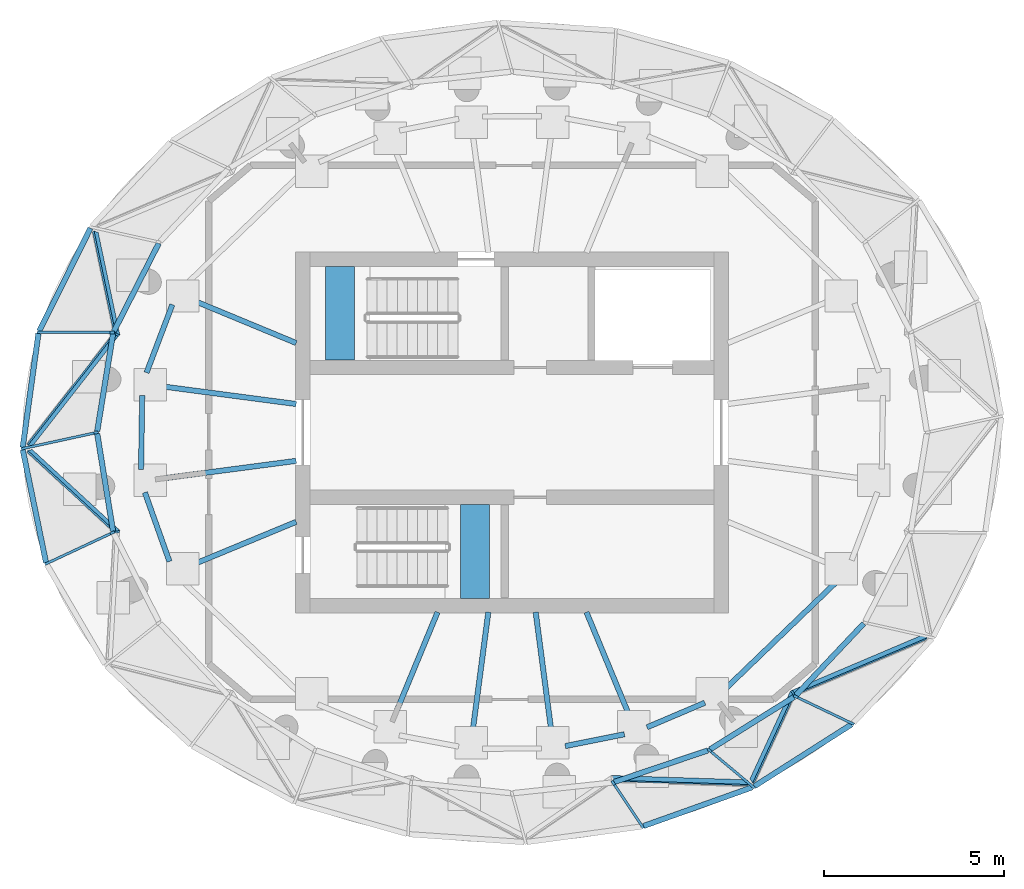
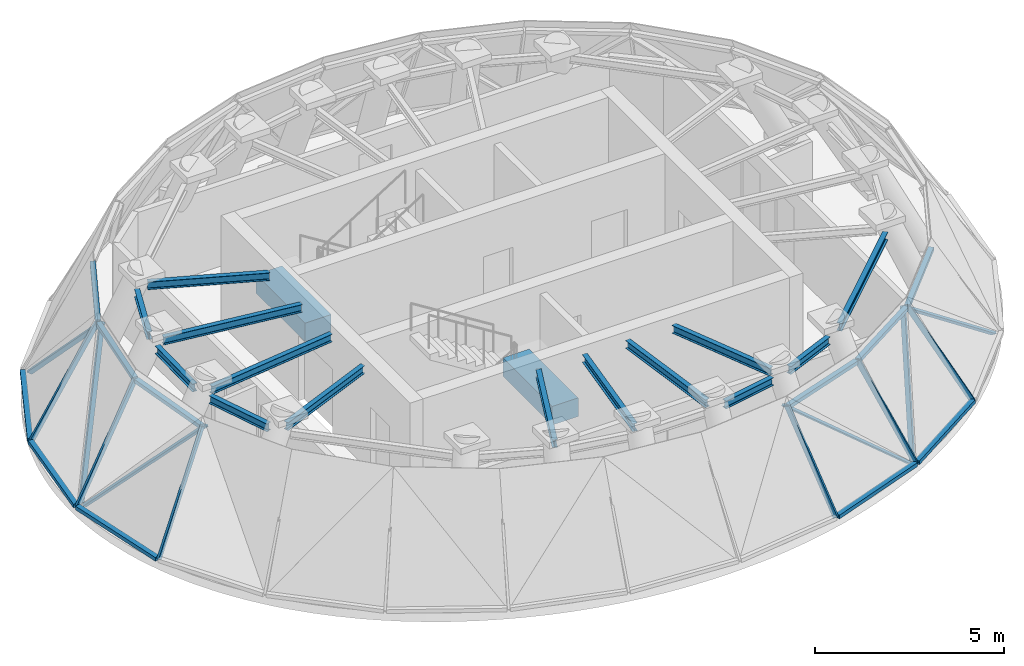
# One storey, part 2 of 8: 23 members, 16 beams, 13 elements without a shape of their own.
"""IFC4 building model written with IfcOpenShell, lengths in metres."""

from ifc_helpers import new_model, si_unit, direction, frame, origin, origin_2d, place, context, subcontext, project, spatial, rectangle, i_section, extrude, source, transform, mapped, material, layer, layer_set, material_profile, profile_set, type_object, element, aggregate, save


model = new_model("IFC4")

# Units and contexts
model_context = context("Model", 3, precision=1e-05, world=origin(), true_north=direction((0.0, 1.0)))
body_context = subcontext(model_context, "Body", "Model", "MODEL_VIEW")
ifc_project = project(units=[si_unit("LENGTHUNIT", "METRE"), si_unit("AREAUNIT", "SQUARE_METRE"), si_unit("VOLUMEUNIT", "CUBIC_METRE"), si_unit("PLANEANGLEUNIT", "RADIAN"), si_unit("MASSUNIT", "GRAM", prefix="KILO")], contexts=[model_context])

# Site, building, storey
site_placement = place(None, origin())
site = spatial("IfcSite", under=ifc_project, at=site_placement, CompositionType="ELEMENT")
building_placement = place(site_placement, origin())
building = spatial("IfcBuilding", under=site, at=building_placement, Name="Spindrift Exchange Tower", CompositionType="ELEMENT")
storey_placement = place(building_placement, frame((0.0, 0.0, 283.60009765625)))
storey = spatial("IfcBuildingStorey", under=building, at=storey_placement, Name="L70", CompositionType="ELEMENT", Elevation=283.60009765625)

# Beams
ifc_material_1 = material(Name="Steel Grade 300", Category="steel")
ifc_material_profile_1 = material_profile(ifc_material_1, i_section(OverallWidth=0.14599609375, OverallDepth=0.251953125, WebThickness=0.006103515625, FlangeThickness=0.008544921875, FilletRadius=0.011962890625, at=origin_2d()), Name="250UB31.4")
ifc_profile_set_1 = profile_set([ifc_material_profile_1], Name="Steel Grade 300")
beam_type_1 = type_object("IfcBeamType", Name="Floor Beam 250UB31.4 Steel Grade 300", PredefinedType="BEAM", material=ifc_profile_set_1)
shared_shape_1 = source(origin(), body_context, "Body", "SweptSolid", [
    extrude(i_section(OverallWidth=0.14599609375, OverallDepth=0.251953125, WebThickness=0.006103515625, FlangeThickness=0.008544921875, FilletRadius=0.011962890625, at=origin_2d()), origin(), (0.0, 0.0, 1.0), 4.010986328125),
])
beam_1_placement = place(storey_placement, frame((46.019775390625, 47.212646484375, 3.093994140625), z_axis=(-0.991447664465, -0.130504898859, 0.0), x_axis=(0.130504898859, -0.991447664465, 0.0)))
element("IfcBeam", 1, at=beam_1_placement, inside=storey, type_object=beam_type_1, Name="L70 radial beam R13A", PredefinedType="BEAM", context=body_context, shape_type="MappedRepresentation", body=[
    mapped(shared_shape_1, transform((0.0, 0.0, 0.0), scale=1.0)),
])
shared_shape_2 = source(origin(), body_context, "Body", "SweptSolid", [
    extrude(i_section(OverallWidth=0.14599609375, OverallDepth=0.251953125, WebThickness=0.006103515625, FlangeThickness=0.008544921875, FilletRadius=0.011962890625, at=origin_2d()), origin(), (0.0, 0.0, 1.0), 3.3505859375),
])
beam_2_placement = place(storey_placement, frame((46.0185546875, 45.5224609375, 3.093994140625), z_axis=(-0.923874734416, -0.382695015786, 0.0), x_axis=(0.382695015786, -0.923874734416, 0.0)))
element("IfcBeam", 2, at=beam_2_placement, inside=storey, type_object=beam_type_1, Name="L70 radial beam R14A", PredefinedType="BEAM", context=body_context, shape_type="MappedRepresentation", body=[
    mapped(shared_shape_2, transform((0.0, 0.0, 0.0), scale=1.0)),
])
shared_shape_3 = source(origin(), body_context, "Body", "SweptSolid", [
    extrude(i_section(OverallWidth=0.14599609375, OverallDepth=0.251953125, WebThickness=0.006103515625, FlangeThickness=0.008544921875, FilletRadius=0.011962890625, at=origin_2d()), origin(), (0.0, 0.0, 1.0), 3.297119140625),
])
beam_3_placement = place(storey_placement, frame((49.9365234375, 43.0185546875, 3.093994140625), z_axis=(-0.38267441848, -0.923883266133, 0.0), x_axis=(0.923883266133, -0.38267441848, 0.0)))
element("IfcBeam", 3, at=beam_3_placement, inside=storey, type_object=beam_type_1, Name="L70 radial beam R17A", PredefinedType="BEAM", context=body_context, shape_type="MappedRepresentation", body=[
    mapped(shared_shape_3, transform((0.0, 0.0, 0.0), scale=1.0)),
])
shared_shape_4 = source(origin(), body_context, "Body", "SweptSolid", [
    extrude(i_section(OverallWidth=0.14599609375, OverallDepth=0.251953125, WebThickness=0.006103515625, FlangeThickness=0.008544921875, FilletRadius=0.011962890625, at=origin_2d()), origin(), (0.0, 0.0, 1.0), 3.48828125),
])
beam_4_placement = place(storey_placement, frame((51.34423828125, 43.019775390625, 3.093994140625), z_axis=(-0.130526929648, -0.991444764289, 0.0), x_axis=(0.991444764289, -0.130526929648, 0.0)))
element("IfcBeam", 4, at=beam_4_placement, inside=storey, type_object=beam_type_1, Name="L70 radial beam R18A", PredefinedType="BEAM", context=body_context, shape_type="MappedRepresentation", body=[
    mapped(shared_shape_4, transform((0.0, 0.0, 0.0), scale=1.0)),
])
shared_shape_5 = source(origin(), body_context, "Body", "SweptSolid", [
    extrude(i_section(OverallWidth=0.14599609375, OverallDepth=0.251953125, WebThickness=0.006103515625, FlangeThickness=0.008544921875, FilletRadius=0.011962890625, at=origin_2d()), origin(), (0.0, 0.0, 1.0), 3.47802734375),
])
beam_5_placement = place(storey_placement, frame((52.65576171875, 43.019775390625, 3.093994140625), z_axis=(0.130494460661, -0.991449038396, 0.0), x_axis=(0.991449038396, 0.130494460661, 0.0)))
element("IfcBeam", 5, at=beam_5_placement, inside=storey, type_object=beam_type_1, Name="L70 radial beam R19A", PredefinedType="BEAM", context=body_context, shape_type="MappedRepresentation", body=[
    mapped(shared_shape_5, transform((0.0, 0.0, 0.0), scale=1.0)),
])
shared_shape_6 = source(origin(), body_context, "Body", "SweptSolid", [
    extrude(i_section(OverallWidth=0.14599609375, OverallDepth=0.251953125, WebThickness=0.006103515625, FlangeThickness=0.008544921875, FilletRadius=0.011962890625, at=origin_2d()), origin(), (0.0, 0.0, 1.0), 3.2626953125),
])
beam_6_placement = place(storey_placement, frame((54.0634765625, 43.0185546875, 3.093994140625), z_axis=(0.382664600296, -0.923887332785, 0.0), x_axis=(0.923887332785, 0.382664600296, 0.0)))
element("IfcBeam", 6, at=beam_6_placement, inside=storey, type_object=beam_type_1, Name="L70 radial beam R20A", PredefinedType="BEAM", context=body_context, shape_type="MappedRepresentation", body=[
    mapped(shared_shape_6, transform((0.0, 0.0, 0.0), scale=1.0)),
])
shared_shape_7 = source(origin(), body_context, "Body", "SweptSolid", [
    extrude(i_section(OverallWidth=0.14599609375, OverallDepth=0.251953125, WebThickness=0.006103515625, FlangeThickness=0.008544921875, FilletRadius=0.011962890625, at=origin_2d()), origin(), (0.0, 0.0, 1.0), 3.2568359375),
])
beam_7_placement = place(storey_placement, frame((46.0185546875, 50.4775390625, 3.093994140625), z_axis=(-0.923884360021, 0.382671777518, 0.0), x_axis=(-0.382671777518, -0.923884360021, 0.0)))
element("IfcBeam", 7, at=beam_7_placement, inside=storey, type_object=beam_type_1, Name="L70 radial beam R11A", PredefinedType="BEAM", context=body_context, shape_type="MappedRepresentation", body=[
    mapped(shared_shape_7, transform((0.0, 0.0, 0.0), scale=1.0)),
])
shared_shape_8 = source(origin(), body_context, "Body", "SweptSolid", [
    extrude(i_section(OverallWidth=0.14599609375, OverallDepth=0.251953125, WebThickness=0.006103515625, FlangeThickness=0.008544921875, FilletRadius=0.011962890625, at=origin_2d()), origin(), (0.0, 0.0, 1.0), 3.97021484375),
])
beam_8_placement = place(storey_placement, frame((46.019775390625, 48.787353515625, 3.093994140625), z_axis=(-0.99144989964, 0.130487917077, 0.0), x_axis=(-0.130487917077, -0.99144989964, 0.0)))
element("IfcBeam", 8, at=beam_8_placement, inside=storey, type_object=beam_type_1, Name="L70 radial beam R12A", PredefinedType="BEAM", context=body_context, shape_type="MappedRepresentation", body=[
    mapped(shared_shape_8, transform((0.0, 0.0, 0.0), scale=1.0)),
])
ifc_material_profile_2 = material_profile(ifc_material_1, i_section(OverallWidth=0.14599609375, OverallDepth=0.251953125, WebThickness=0.006103515625, FlangeThickness=0.008544921875, FilletRadius=0.011962890625, at=origin_2d()), Name="250UB31.4")
ifc_profile_set_2 = profile_set([ifc_material_profile_2], Name="Steel Grade 300")
beam_type_2 = type_object("IfcBeamType", Name="Edge Beam 250UB31.4 Steel Grade 300", PredefinedType="SPANDREL", material=ifc_profile_set_2)
shared_shape_9 = source(origin(), body_context, "Body", "SweptSolid", [
    extrude(i_section(OverallWidth=0.14599609375, OverallDepth=0.251953125, WebThickness=0.006103515625, FlangeThickness=0.008544921875, FilletRadius=0.011962890625, at=origin_2d()), origin(), (0.0, 0.0, 1.0), 2.028076171875),
])
beam_9_placement = place(storey_placement, frame((41.82666015625, 46.335205078125, 3.093994140625), z_axis=(0.335733894108, -0.941956873932, 0.0), x_axis=(0.941956873932, 0.335733894108, 0.0)))
element("IfcBeam", 9, at=beam_9_placement, inside=storey, type_object=beam_type_2, Name="L70 edge beam E13", PredefinedType="SPANDREL", context=body_context, shape_type="MappedRepresentation", body=[
    mapped(shared_shape_9, transform((0.0, 0.0, 0.0), scale=1.0)),
])
shared_shape_10 = source(origin(), body_context, "Body", "SweptSolid", [
    extrude(i_section(OverallWidth=0.14599609375, OverallDepth=0.251953125, WebThickness=0.006103515625, FlangeThickness=0.008544921875, FilletRadius=0.011962890625, at=origin_2d()), origin(), (0.0, 0.0, 1.0), 1.67041015625),
])
beam_10_placement = place(storey_placement, frame((53.476318359375, 39.30859375, 3.093994140625), z_axis=(0.98072096057, 0.195413401532, 0.0), x_axis=(-0.195413401532, 0.98072096057, 0.0)))
element("IfcBeam", 10, at=beam_10_placement, inside=storey, type_object=beam_type_2, Name="L70 edge beam E19", PredefinedType="SPANDREL", context=body_context, shape_type="MappedRepresentation", body=[
    mapped(shared_shape_10, transform((0.0, 0.0, 0.0), scale=1.0)),
])
shared_shape_11 = source(origin(), body_context, "Body", "SweptSolid", [
    extrude(i_section(OverallWidth=0.14599609375, OverallDepth=0.251953125, WebThickness=0.006103515625, FlangeThickness=0.008544921875, FilletRadius=0.011962890625, at=origin_2d()), origin(), (0.0, 0.0, 1.0), 1.7412109375),
])
beam_11_placement = place(storey_placement, frame((55.741943359375, 39.82861328125, 3.093994140625), z_axis=(0.920193324375, 0.391464233073, 0.0), x_axis=(-0.391464233073, 0.920193324375, 0.0)))
element("IfcBeam", 11, at=beam_11_placement, inside=storey, type_object=beam_type_2, Name="L70 edge beam E20", PredefinedType="SPANDREL", context=body_context, shape_type="MappedRepresentation", body=[
    mapped(shared_shape_11, transform((0.0, 0.0, 0.0), scale=1.0)),
])
shared_shape_12 = source(origin(), body_context, "Body", "SweptSolid", [
    extrude(i_section(OverallWidth=0.14599609375, OverallDepth=0.251953125, WebThickness=0.006103515625, FlangeThickness=0.008544921875, FilletRadius=0.011962890625, at=origin_2d()), origin(), (0.0, 0.0, 1.0), 4.402099609375),
])
beam_12_placement = place(storey_placement, frame((57.8857421875, 40.868408203125, 3.093994140625), z_axis=(0.720536729088, 0.69341677369, 0.0), x_axis=(-0.69341677369, 0.720536729088, 0.0)))
element("IfcBeam", 12, at=beam_12_placement, inside=storey, type_object=beam_type_2, Name="L70 edge beam E21", PredefinedType="SPANDREL", context=body_context, shape_type="MappedRepresentation", body=[
    mapped(shared_shape_12, transform((0.0, 0.0, 0.0), scale=1.0)),
])
shared_shape_13 = source(origin(), body_context, "Body", "SweptSolid", [
    extrude(i_section(OverallWidth=0.14599609375, OverallDepth=0.251953125, WebThickness=0.006103515625, FlangeThickness=0.008544921875, FilletRadius=0.011962890625, at=origin_2d()), origin(), (0.0, 0.0, 1.0), 2.015380859375),
])
beam_13_placement = place(storey_placement, frame((42.587890625, 51.541748046875, 3.093994140625), z_axis=(-0.354559289408, -0.935033534315, 0.0), x_axis=(0.935033534315, -0.354559289408, 0.0)))
element("IfcBeam", 13, at=beam_13_placement, inside=storey, type_object=beam_type_2, Name="L70 edge beam E11", PredefinedType="SPANDREL", context=body_context, shape_type="MappedRepresentation", body=[
    mapped(shared_shape_13, transform((0.0, 0.0, 0.0), scale=1.0)),
])
shared_shape_14 = source(origin(), body_context, "Body", "SweptSolid", [
    extrude(i_section(OverallWidth=0.14599609375, OverallDepth=0.251953125, WebThickness=0.006103515625, FlangeThickness=0.008544921875, FilletRadius=0.011962890625, at=origin_2d()), origin(), (0.0, 0.0, 1.0), 2.042724609375),
])
beam_14_placement = place(storey_placement, frame((41.75146484375, 49.0185546875, 3.093994140625), z_axis=(-0.014939762066, -0.999888395527, 0.0), x_axis=(0.999888395527, -0.014939762066, 0.0)))
element("IfcBeam", 14, at=beam_14_placement, inside=storey, type_object=beam_type_2, Name="L70 edge beam E12", PredefinedType="SPANDREL", context=body_context, shape_type="MappedRepresentation", body=[
    mapped(shared_shape_14, transform((0.0, 0.0, 0.0), scale=1.0)),
])

# Curtain wall, member
ifc_material_2 = material(Name="Fritted laminated glass with bronze frame", Category="glass")
ifc_layer = layer(ifc_material_2, 0.14990234375)
ifc_layer_set = layer_set([ifc_layer], Name="CROWN BRONZE RAKED GLAZED WALL")
curtain_wall_type = type_object("IfcCurtainWallType", Name="CROWN BRONZE RAKED GLAZED WALL", PredefinedType="NOTDEFINED", material=ifc_layer_set)
curtain_wall_1_placement = place(storey_placement, origin())
curtain_wall_1 = element("IfcCurtainWall", 15, at=curtain_wall_1_placement, inside=storey, type_object=curtain_wall_type, Name="L70 Crown Bronze Raked Glazed Wall facet 25", PredefinedType="NOTDEFINED")
ifc_material_3 = material(Name="Bronze anodised aluminium", Category="aluminium")
ifc_material_profile_3 = material_profile(ifc_material_3, rectangle(XDim=0.14990234375, YDim=0.1201171875, at=origin_2d()), Name="CROWN BRONZE RAKED GLAZED WALL TRANSOM 150X120")
ifc_profile_set_3 = profile_set([ifc_material_profile_3], Name="Bronze anodised aluminium")
member_type_1 = type_object("IfcMemberType", Name="CROWN BRONZE RAKED GLAZED WALL TRANSOM 150X120", PredefinedType="USERDEFINED", material=ifc_profile_set_3)
shared_shape_15 = source(origin(), body_context, "Body", "SweptSolid", [
    extrude(rectangle(XDim=0.14990234375, YDim=0.1201171875, at=origin_2d()), origin(), (0.0, 0.0, 1.0), 3.1845703125),
])
member_1_placement = place(storey_placement, frame((38.442626953125, 47.516845703125, 0.059814453125), z_axis=(0.20208335851, -0.979368325102, 0.0), x_axis=(0.979368325102, 0.20208335851, 0.0)))
member_1 = element("IfcMember", 16, at=member_1_placement, type_object=member_type_1, Name="L70 transom CW-R.13a", ObjectType="TRANSOM", PredefinedType="USERDEFINED", context=body_context, shape_type="MappedRepresentation", body=[
    mapped(shared_shape_15, transform((0.0, 0.0, 0.0), scale=1.0)),
])

curtain_wall_2_placement = place(storey_placement, origin())
curtain_wall_2 = element("IfcCurtainWall", 17, at=curtain_wall_2_placement, inside=storey, type_object=curtain_wall_type, Name="L70 Crown Bronze Raked Glazed Wall facet 21", PredefinedType="NOTDEFINED")
shared_shape_16 = source(origin(), body_context, "Body", "SweptSolid", [
    extrude(rectangle(XDim=0.14990234375, YDim=0.1201171875, at=origin_2d()), origin(), (0.0, 0.0, 1.0), 3.1875),
])
member_2_placement = place(storey_placement, frame((40.319091796875, 53.6591796875, 0.059814453125), z_axis=(-0.446232931799, -0.894916851209, 0.0), x_axis=(0.894916851209, -0.446232931799, 0.0)))
member_2 = element("IfcMember", 18, at=member_2_placement, type_object=member_type_1, Name="L70 transom CW-R.11a", ObjectType="TRANSOM", PredefinedType="USERDEFINED", context=body_context, shape_type="MappedRepresentation", body=[
    mapped(shared_shape_16, transform((0.0, 0.0, 0.0), scale=1.0)),
])

curtain_wall_3_placement = place(storey_placement, origin())
curtain_wall_3 = element("IfcCurtainWall", 19, at=curtain_wall_3_placement, inside=storey, type_object=curtain_wall_type, Name="L70 Crown Bronze Raked Glazed Wall facet 39", PredefinedType="NOTDEFINED")
shared_shape_17 = source(origin(), body_context, "Body", "SweptSolid", [
    extrude(rectangle(XDim=0.14990234375, YDim=0.1201171875, at=origin_2d()), origin(), (0.0, 0.0, 1.0), 3.194091796875),
])
member_3_placement = place(storey_placement, frame((58.65283203125, 38.16455078125, 0.059814453125), z_axis=(-0.941969958501, -0.335697180926, 0.0), x_axis=(0.335697180926, -0.941969958501, 0.0)))
member_3 = element("IfcMember", 20, at=member_3_placement, type_object=member_type_1, Name="L70 transom CW-R.20a", ObjectType="TRANSOM", PredefinedType="USERDEFINED", context=body_context, shape_type="MappedRepresentation", body=[
    mapped(shared_shape_17, transform((0.0, 0.0, 0.0), scale=1.0)),
])

curtain_wall_4_placement = place(storey_placement, origin())
curtain_wall_4 = element("IfcCurtainWall", 21, at=curtain_wall_4_placement, inside=storey, type_object=curtain_wall_type, Name="L70 Crown Bronze Raked Glazed Wall facet 41", PredefinedType="NOTDEFINED")
shared_shape_18 = source(origin(), body_context, "Body", "SweptSolid", [
    extrude(rectangle(XDim=0.14990234375, YDim=0.1201171875, at=origin_2d()), origin(), (0.0, 0.0, 1.0), 3.19287109375),
])
member_4_placement = place(storey_placement, frame((58.71533203125, 38.195068359375, 0.059814453125), z_axis=(0.843661487732, 0.536875492193, 0.0), x_axis=(-0.536875492193, 0.843661487732, 0.0)))
member_4 = element("IfcMember", 22, at=member_4_placement, type_object=member_type_1, Name="L70 transom CW-R.21a", ObjectType="TRANSOM", PredefinedType="USERDEFINED", context=body_context, shape_type="MappedRepresentation", body=[
    mapped(shared_shape_18, transform((0.0, 0.0, 0.0), scale=1.0)),
])

curtain_wall_5_placement = place(storey_placement, origin())
curtain_wall_5 = element("IfcCurtainWall", 23, at=curtain_wall_5_placement, inside=storey, type_object=curtain_wall_type, Name="L70 Crown Bronze Raked Glazed Wall facet 23", PredefinedType="NOTDEFINED")
shared_shape_19 = source(origin(), body_context, "Body", "SweptSolid", [
    extrude(rectangle(XDim=0.14990234375, YDim=0.1201171875, at=origin_2d()), origin(), (0.0, 0.0, 1.0), 3.184814453125),
])
member_5_placement = place(storey_placement, frame((38.440185546875, 47.5859375, 0.059814453125), z_axis=(0.136912361198, 0.990583164278, 0.0), x_axis=(-0.990583164278, 0.136912361198, 0.0)))
member_5 = element("IfcMember", 24, at=member_5_placement, type_object=member_type_1, Name="L70 transom CW-R.12a", ObjectType="TRANSOM", PredefinedType="USERDEFINED", context=body_context, shape_type="MappedRepresentation", body=[
    mapped(shared_shape_19, transform((0.0, 0.0, 0.0), scale=1.0)),
])

curtain_wall_6_placement = place(storey_placement, origin())
curtain_wall_6 = element("IfcCurtainWall", 25, at=curtain_wall_6_placement, inside=storey, type_object=curtain_wall_type, Name="L70 Crown Bronze Raked Glazed Wall facet 24", PredefinedType="NOTDEFINED")
shared_shape_20 = source(origin(), body_context, "Body", "SweptSolid", [
    extrude(rectangle(XDim=0.14990234375, YDim=0.1201171875, at=origin_2d()), origin(), (0.0, 0.0, 1.0), 2.735595703125),
])
member_6_placement = place(storey_placement, frame((40.505615234375, 48.03466796875, 3.159912109375), z_axis=(0.160287379872, 0.987070390526, 0.0), x_axis=(-0.987070390526, 0.160287379872, 0.0)))
member_6 = element("IfcMember", 26, at=member_6_placement, type_object=member_type_1, Name="L70 transom CW-R.12b", ObjectType="TRANSOM", PredefinedType="USERDEFINED", context=body_context, shape_type="MappedRepresentation", body=[
    mapped(shared_shape_20, transform((0.0, 0.0, 0.0), scale=1.0)),
])

# Curtain wall, members
curtain_wall_7_placement = place(storey_placement, origin())
curtain_wall_7 = element("IfcCurtainWall", 27, at=curtain_wall_7_placement, inside=storey, type_object=curtain_wall_type, Name="L70 Crown Bronze Raked Glazed Wall facet 26", PredefinedType="NOTDEFINED")
member_7_placement = place(storey_placement, frame((40.505615234375, 47.96533203125, 3.159912109375), z_axis=(0.160287379872, -0.987070390526, 0.0), x_axis=(0.987070390526, 0.160287379872, 0.0)))
member_7 = element("IfcMember", 28, at=member_7_placement, type_object=member_type_1, Name="L70 transom CW-R.13b", ObjectType="TRANSOM", PredefinedType="USERDEFINED", context=body_context, shape_type="MappedRepresentation", body=[
    mapped(shared_shape_20, transform((0.0, 0.0, 0.0), scale=1.0)),
])
ifc_material_profile_4 = material_profile(ifc_material_3, rectangle(XDim=0.070068359375, YDim=0.14990234375, at=origin_2d()), Name="CROWN BRONZE RAKED GLAZED WALL MULLION 70X150")
ifc_profile_set_4 = profile_set([ifc_material_profile_4], Name="Bronze anodised aluminium")
member_type_2 = type_object("IfcMemberType", Name="CROWN BRONZE RAKED GLAZED WALL MULLION 70X150", PredefinedType="MULLION", material=ifc_profile_set_4)
shared_shape_21 = source(origin(), body_context, "Body", "SweptSolid", [
    extrude(rectangle(XDim=0.070068359375, YDim=0.14990234375, at=origin_2d()), origin(), (0.0, 0.0, 1.0), 3.752685546875),
])
member_8_placement = place(storey_placement, frame((38.4619140625, 47.556884765625, 0.041015625), z_axis=(0.536057265649, 0.11657944418, 0.836093201228), x_axis=(-0.212508416423, 0.97715923623, 0.0)))
member_8 = element("IfcMember", 29, at=member_8_placement, type_object=member_type_2, Name="L70 mullion CW-R.13", PredefinedType="MULLION", context=body_context, shape_type="MappedRepresentation", body=[
    mapped(shared_shape_21, transform((0.0, 0.0, 0.0), scale=1.0)),
])
aggregate(curtain_wall_7, [member_7, member_8])

# Member
shared_shape_22 = source(origin(), body_context, "Body", "SweptSolid", [
    extrude(rectangle(XDim=0.070068359375, YDim=0.14990234375, at=origin_2d()), origin(), (0.0, 0.0, 1.0), 4.5390625),
])
member_9_placement = place(storey_placement, frame((38.635986328125, 47.4853515625, 0.054443359375), z_axis=(0.535132057744, -0.493877028264, 0.685360607073), x_axis=(0.142544075136, 0.852457021638, 0.502989277126)))
member_9 = element("IfcMember", 30, at=member_9_placement, type_object=member_type_2, Name="L70 glazing bar CW-R.13", PredefinedType="MULLION", context=body_context, shape_type="MappedRepresentation", body=[
    mapped(shared_shape_22, transform((0.0, 0.0, 0.0), scale=1.0)),
])

aggregate(curtain_wall_1, [member_1, member_9])

# Curtain wall, member
curtain_wall_8_placement = place(storey_placement, origin())
curtain_wall_8 = element("IfcCurtainWall", 31, at=curtain_wall_8_placement, inside=storey, type_object=curtain_wall_type, Name="L70 Crown Bronze Raked Glazed Wall facet 22", PredefinedType="NOTDEFINED")
shared_shape_23 = source(origin(), body_context, "Body", "SweptSolid", [
    extrude(rectangle(XDim=0.14990234375, YDim=0.1201171875, at=origin_2d()), origin(), (0.0, 0.0, 1.0), 2.7373046875),
])
member_10_placement = place(storey_placement, frame((42.21044921875, 53.238525390625, 3.159912109375), z_axis=(-0.454689853994, -0.890649839541, 0.0), x_axis=(0.890649839541, -0.454689853994, 0.0)))
member_10 = element("IfcMember", 32, at=member_10_placement, type_object=member_type_1, Name="L70 transom CW-R.11b", ObjectType="TRANSOM", PredefinedType="USERDEFINED", context=body_context, shape_type="MappedRepresentation", body=[
    mapped(shared_shape_23, transform((0.0, 0.0, 0.0), scale=1.0)),
])
aggregate(curtain_wall_8, [member_10])

curtain_wall_9_placement = place(storey_placement, origin())
curtain_wall_9 = element("IfcCurtainWall", 33, at=curtain_wall_9_placement, inside=storey, type_object=curtain_wall_type, Name="L70 Crown Bronze Raked Glazed Wall facet 27", PredefinedType="NOTDEFINED")
shared_shape_24 = source(origin(), body_context, "Body", "SweptSolid", [
    extrude(rectangle(XDim=0.070068359375, YDim=0.14990234375, at=origin_2d()), origin(), (0.0, 0.0, 1.0), 3.72119140625),
])
member_11_placement = place(storey_placement, frame((39.116455078125, 44.37451171875, 0.040283203125), z_axis=(0.486431503773, 0.227141336129, 0.843677192745), x_axis=(-0.423099548355, 0.906083203785, 0.0)))
member_11 = element("IfcMember", 34, at=member_11_placement, type_object=member_type_2, Name="L70 mullion CW-R.14", PredefinedType="MULLION", context=body_context, shape_type="MappedRepresentation", body=[
    mapped(shared_shape_24, transform((0.0, 0.0, 0.0), scale=1.0)),
])
aggregate(curtain_wall_9, [member_11])

curtain_wall_10_placement = place(storey_placement, origin())
curtain_wall_10 = element("IfcCurtainWall", 35, at=curtain_wall_10_placement, inside=storey, type_object=curtain_wall_type, Name="L70 Crown Bronze Raked Glazed Wall facet 44", PredefinedType="NOTDEFINED")
shared_shape_25 = source(origin(), body_context, "Body", "SweptSolid", [
    extrude(rectangle(XDim=0.14990234375, YDim=0.1201171875, at=origin_2d()), origin(), (0.0, 0.0, 1.0), 2.7392578125),
])
member_12_placement = place(storey_placement, frame((61.749755859375, 42.704833984375, 3.159912109375), z_axis=(-0.686631384207, -0.727005737406, 0.0), x_axis=(0.727005737406, -0.686631384207, 0.0)))
member_12 = element("IfcMember", 36, at=member_12_placement, type_object=member_type_1, Name="L70 transom CW-R.22b", ObjectType="TRANSOM", PredefinedType="USERDEFINED", context=body_context, shape_type="MappedRepresentation", body=[
    mapped(shared_shape_25, transform((0.0, 0.0, 0.0), scale=1.0)),
])

curtain_wall_11_placement = place(storey_placement, origin())
curtain_wall_11 = element("IfcCurtainWall", 37, at=curtain_wall_11_placement, inside=storey, type_object=curtain_wall_type, Name="L70 Crown Bronze Raked Glazed Wall facet 42", PredefinedType="NOTDEFINED")
shared_shape_26 = source(origin(), body_context, "Body", "SweptSolid", [
    extrude(rectangle(XDim=0.14990234375, YDim=0.1201171875, at=origin_2d()), origin(), (0.0, 0.0, 1.0), 2.740966796875),
])
member_13_placement = place(storey_placement, frame((57.490234375, 39.2177734375, 3.159912109375), z_axis=(0.848233410833, 0.529622583305, 0.0), x_axis=(-0.529622583305, 0.848233410833, 0.0)))
member_13 = element("IfcMember", 38, at=member_13_placement, type_object=member_type_1, Name="L70 transom CW-R.21b", ObjectType="TRANSOM", PredefinedType="USERDEFINED", context=body_context, shape_type="MappedRepresentation", body=[
    mapped(shared_shape_26, transform((0.0, 0.0, 0.0), scale=1.0)),
])

curtain_wall_12_placement = place(storey_placement, origin())
curtain_wall_12 = element("IfcCurtainWall", 39, at=curtain_wall_12_placement, inside=storey, type_object=curtain_wall_type, Name="L70 Crown Bronze Raked Glazed Wall facet 40", PredefinedType="NOTDEFINED")
shared_shape_27 = source(origin(), body_context, "Body", "SweptSolid", [
    extrude(rectangle(XDim=0.14990234375, YDim=0.1201171875, at=origin_2d()), origin(), (0.0, 0.0, 1.0), 2.7421875),
])
member_14_placement = place(storey_placement, frame((57.427490234375, 39.18798828125, 3.159912109375), z_axis=(-0.947510486601, -0.319724690602, 0.0), x_axis=(0.319724690602, -0.947510486601, 0.0)))
member_14 = element("IfcMember", 40, at=member_14_placement, type_object=member_type_1, Name="L70 transom CW-R.20b", ObjectType="TRANSOM", PredefinedType="USERDEFINED", context=body_context, shape_type="MappedRepresentation", body=[
    mapped(shared_shape_27, transform((0.0, 0.0, 0.0), scale=1.0)),
])

# Member
shared_shape_28 = source(origin(), body_context, "Body", "SweptSolid", [
    extrude(rectangle(XDim=0.070068359375, YDim=0.14990234375, at=origin_2d()), origin(), (0.0, 0.0, 1.0), 3.4697265625),
])
member_15_placement = place(storey_placement, frame((55.60302734375, 37.09228515625, 0.031005859375), z_axis=(-0.230220227479, 0.344697094872, 0.910045361313), x_axis=(-0.831579932971, -0.555405090974, 0.0)))
member_15 = element("IfcMember", 41, at=member_15_placement, type_object=member_type_2, Name="L70 mullion CW-R.20", PredefinedType="MULLION", context=body_context, shape_type="MappedRepresentation", body=[
    mapped(shared_shape_28, transform((0.0, 0.0, 0.0), scale=1.0)),
])

aggregate(curtain_wall_3, [member_3, member_15])

shared_shape_29 = source(origin(), body_context, "Body", "SweptSolid", [
    extrude(rectangle(XDim=0.070068359375, YDim=0.14990234375, at=origin_2d()), origin(), (0.0, 0.0, 1.0), 4.869873046875),
])
member_16_placement = place(storey_placement, frame((58.520751953125, 38.2919921875, 0.0576171875), z_axis=(-0.770058422114, 0.024465397786, 0.637504094766), x_axis=(-0.568840516046, -0.478749056247, -0.668744950222)))
member_16 = element("IfcMember", 42, at=member_16_placement, type_object=member_type_2, Name="L70 glazing bar CW-R.20", PredefinedType="MULLION", context=body_context, shape_type="MappedRepresentation", body=[
    mapped(shared_shape_29, transform((0.0, 0.0, 0.0), scale=1.0)),
])

aggregate(curtain_wall_12, [member_14, member_16])

shared_shape_30 = source(origin(), body_context, "Body", "SweptSolid", [
    extrude(rectangle(XDim=0.070068359375, YDim=0.14990234375, at=origin_2d()), origin(), (0.0, 0.0, 1.0), 3.519287109375),
])
member_17_placement = place(storey_placement, frame((58.673095703125, 38.18701171875, 0.033203125), z_axis=(-0.34088437254, 0.284625270764, 0.895983426075), x_axis=(-0.640921611495, -0.767606336555, 0.0)))
member_17 = element("IfcMember", 43, at=member_17_placement, type_object=member_type_2, Name="L70 mullion CW-R.21", PredefinedType="MULLION", context=body_context, shape_type="MappedRepresentation", body=[
    mapped(shared_shape_30, transform((0.0, 0.0, 0.0), scale=1.0)),
])

aggregate(curtain_wall_11, [member_13, member_17])

shared_shape_31 = source(origin(), body_context, "Body", "SweptSolid", [
    extrude(rectangle(XDim=0.070068359375, YDim=0.14990234375, at=origin_2d()), origin(), (0.0, 0.0, 1.0), 4.115966796875),
])
member_18_placement = place(storey_placement, frame((58.6591796875, 38.352294921875, 0.048828125), z_axis=(0.27308639431, 0.591667415995, 0.758520593057), x_axis=(-0.823631956762, -0.263597947299, 0.502141934098)))
member_18 = element("IfcMember", 44, at=member_18_placement, type_object=member_type_2, Name="L70 glazing bar CW-R.21", PredefinedType="MULLION", context=body_context, shape_type="MappedRepresentation", body=[
    mapped(shared_shape_31, transform((0.0, 0.0, 0.0), scale=1.0)),
])

aggregate(curtain_wall_4, [member_4, member_18])

# Curtain wall, member
curtain_wall_13_placement = place(storey_placement, origin())
curtain_wall_13 = element("IfcCurtainWall", 45, at=curtain_wall_13_placement, inside=storey, type_object=curtain_wall_type, Name="L70 Crown Bronze Raked Glazed Wall facet 43", PredefinedType="NOTDEFINED")
shared_shape_32 = source(origin(), body_context, "Body", "SweptSolid", [
    extrude(rectangle(XDim=0.070068359375, YDim=0.14990234375, at=origin_2d()), origin(), (0.0, 0.0, 1.0), 3.590087890625),
])
member_19_placement = place(storey_placement, frame((61.420654296875, 39.9365234375, 0.035888671875), z_axis=(-0.433994028136, 0.206932595991, 0.876828423501), x_axis=(-0.430389205185, -0.902643413569, 0.0)))
member_19 = element("IfcMember", 46, at=member_19_placement, type_object=member_type_2, Name="L70 mullion CW-R.22", PredefinedType="MULLION", context=body_context, shape_type="MappedRepresentation", body=[
    mapped(shared_shape_32, transform((0.0, 0.0, 0.0), scale=1.0)),
])
aggregate(curtain_wall_13, [member_19])

# Member
shared_shape_33 = source(origin(), body_context, "Body", "SweptSolid", [
    extrude(rectangle(XDim=0.070068359375, YDim=0.14990234375, at=origin_2d()), origin(), (0.0, 0.0, 1.0), 5.059814453125),
])
member_20_placement = place(storey_placement, frame((63.446533203125, 42.33056640625, 0.05908203125), z_axis=(-0.72730033961, -0.308667171266, 0.61299167481), x_axis=(-0.245625272033, -0.716935052943, -0.652435709936)))
member_20 = element("IfcMember", 47, at=member_20_placement, type_object=member_type_2, Name="L70 glazing bar CW-R.22", PredefinedType="MULLION", context=body_context, shape_type="MappedRepresentation", body=[
    mapped(shared_shape_33, transform((0.0, 0.0, 0.0), scale=1.0)),
])

aggregate(curtain_wall_10, [member_12, member_20])

shared_shape_34 = source(origin(), body_context, "Body", "SweptSolid", [
    extrude(rectangle(XDim=0.070068359375, YDim=0.14990234375, at=origin_2d()), origin(), (0.0, 0.0, 1.0), 4.251953125),
])
member_21_placement = place(storey_placement, frame((40.455810546875, 53.53955078125, 0.05078125), z_axis=(0.140101997854, -0.665254814401, 0.733353572374), x_axis=(0.604668096199, 0.643989994563, 0.468671932531)))
member_21 = element("IfcMember", 48, at=member_21_placement, type_object=member_type_2, Name="L70 glazing bar CW-R.11", PredefinedType="MULLION", context=body_context, shape_type="MappedRepresentation", body=[
    mapped(shared_shape_34, transform((0.0, 0.0, 0.0), scale=1.0)),
])

aggregate(curtain_wall_2, [member_2, member_21])

shared_shape_35 = source(origin(), body_context, "Body", "SweptSolid", [
    extrude(rectangle(XDim=0.070068359375, YDim=0.14990234375, at=origin_2d()), origin(), (0.0, 0.0, 1.0), 3.731201171875),
])
member_22_placement = place(storey_placement, frame((38.906982421875, 50.775390625, 0.040283203125), z_axis=(0.540532027733, -0.001570362991, 0.841321972229), x_axis=(0.002905205026, 0.999995779883, 0.0)))
member_22 = element("IfcMember", 49, at=member_22_placement, type_object=member_type_2, Name="L70 mullion CW-R.12", PredefinedType="MULLION", context=body_context, shape_type="MappedRepresentation", body=[
    mapped(shared_shape_35, transform((0.0, 0.0, 0.0), scale=1.0)),
])

aggregate(curtain_wall_5, [member_5, member_22])

shared_shape_36 = source(origin(), body_context, "Body", "SweptSolid", [
    extrude(rectangle(XDim=0.070068359375, YDim=0.14990234375, at=origin_2d()), origin(), (0.0, 0.0, 1.0), 5.01025390625),
])
member_23_placement = place(storey_placement, frame((38.639892578125, 47.65673828125, 0.058837890625), z_axis=(0.483428859624, 0.618843515495, 0.61913588251), x_axis=(-0.228207047957, 0.771910739839, -0.593359379283)))
member_23 = element("IfcMember", 50, at=member_23_placement, type_object=member_type_2, Name="L70 glazing bar CW-R.12", PredefinedType="MULLION", context=body_context, shape_type="MappedRepresentation", body=[
    mapped(shared_shape_36, transform((0.0, 0.0, 0.0), scale=1.0)),
])

aggregate(curtain_wall_6, [member_6, member_23])

# Beams
ifc_material_4 = material(Name="Concrete 40 MPa", Category="concrete")
ifc_material_profile_5 = material_profile(ifc_material_4, rectangle(XDim=0.800048828125, YDim=0.60009765625, at=origin_2d()), Name="RC 800x600")
ifc_profile_set_5 = profile_set([ifc_material_profile_5], Name="Concrete 40 MPa")
beam_type_3 = type_object("IfcBeamType", Name="RC Landing Beam 800x600 Concrete 40 MPa", PredefinedType="BEAM", material=ifc_profile_set_5)
shared_shape_37 = source(origin(), body_context, "Body", "SweptSolid", [
    extrude(rectangle(XDim=0.800048828125, YDim=0.60009765625, at=origin_2d()), origin(), (0.0, 0.0, 1.0), 2.59912109375),
])
for number, where, z_axis, x_axis, name in (
    (51, (47.22998046875, 50.00048828125, 1.25), (0.0, 1.0, 0.0), (-1.0, 0.0, 0.0), "ST3 landing beam L70"),
    (52, (50.969970703125, 43.400390625, 1.25), (0.0, 1.0, 0.0), (-1.0, 0.0, 0.0), "ST4 landing beam L70"),
):
    element("IfcBeam", number, at=place(storey_placement, frame(where, z_axis=z_axis, x_axis=x_axis)), inside=storey, type_object=beam_type_3, Name=name, PredefinedType="BEAM", context=body_context, shape_type="MappedRepresentation", body=[
        mapped(shared_shape_37, transform((0.0, 0.0, 0.0), scale=1.0)),
    ])

save(model, "model.ifc")
